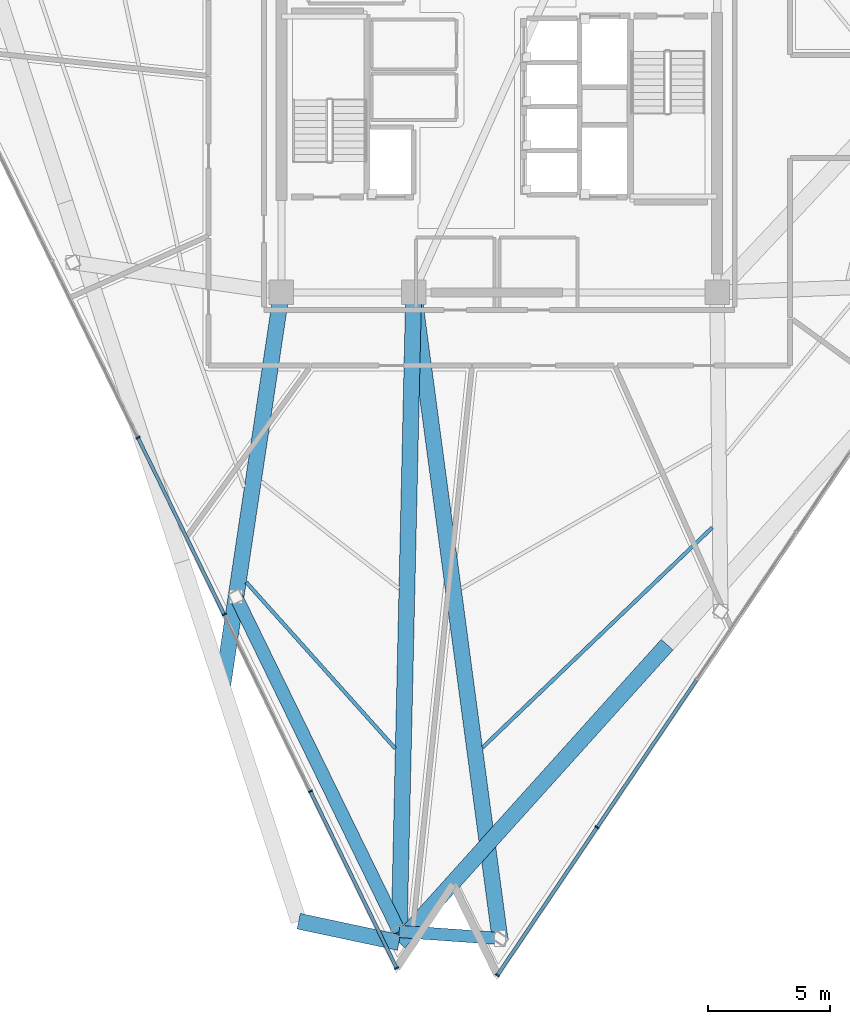
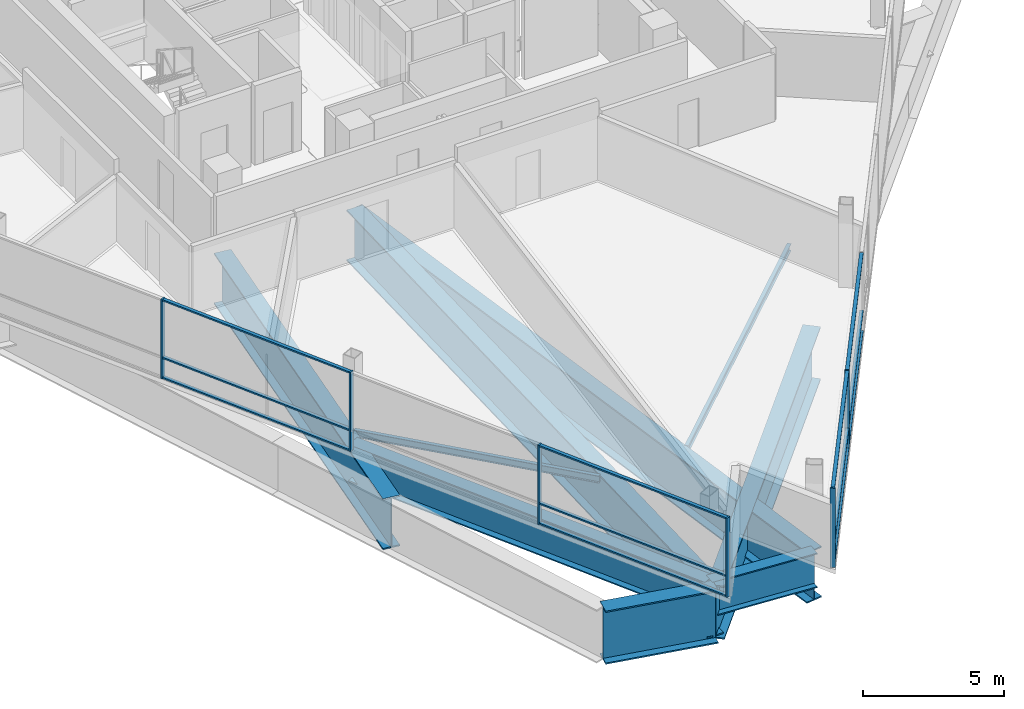
# One storey, part 2 of 14: 18 members, 9 beams, 2 elements without a shape of their own.
"""IFC4 building model written with IfcOpenShell, lengths in metres."""

from ifc_helpers import new_model, si_unit, direction, frame, origin, origin_2d, place, context, subcontext, project, spatial, rectangle, i_section, extrude, material, layer, layer_set, material_profile, profile_set, type_object, element, aggregate, save


model = new_model("IFC4")

# Units and contexts
model_context = context("Model", 3, precision=1e-05, world=origin(), true_north=direction((0.0, 1.0)))
body_context = subcontext(model_context, "Body", "Model", "MODEL_VIEW")
ifc_project = project(units=[si_unit("LENGTHUNIT", "METRE"), si_unit("AREAUNIT", "SQUARE_METRE"), si_unit("VOLUMEUNIT", "CUBIC_METRE"), si_unit("PLANEANGLEUNIT", "RADIAN"), si_unit("MASSUNIT", "GRAM", prefix="KILO")], contexts=[model_context])

# Site, building, storey
site_placement = place(None, origin())
site = spatial("IfcSite", under=ifc_project, at=site_placement, CompositionType="ELEMENT")
building_placement = place(site_placement, origin())
building = spatial("IfcBuilding", under=site, at=building_placement, Name="Tharavind Bronze Gate", CompositionType="ELEMENT")
storey_placement = place(building_placement, frame((0.0, 0.0, 227.050048828125)))
storey = spatial("IfcBuildingStorey", under=building, at=storey_placement, Name="L58", CompositionType="ELEMENT", Elevation=227.050048828125)

# Curtain wall, members
ifc_material_1 = material(Name="Anodised Bronze Aluminium", Category="aluminium")
ifc_layer = layer(ifc_material_1, 0.219970703125)
ifc_layer_set = layer_set([ifc_layer], Name="Anodised Bronze Aluminium")
curtain_wall_type = type_object("IfcCurtainWallType", Name="UNITISED CURTAIN WALL UPPER OFFICE", PredefinedType="USERDEFINED", material=ifc_layer_set)
curtain_wall_1_placement = place(storey_placement, origin())
curtain_wall_1 = element("IfcCurtainWall", 1, at=curtain_wall_1_placement, inside=storey, type_object=curtain_wall_type, Name="L58 unitised curtain wall upper office CW-L58-S1", ObjectType="UNITISED CURTAIN WALL", PredefinedType="USERDEFINED")
member_type_1 = type_object("IfcMemberType", Name="CURTAIN WALL BRONZE MULLION 65X180", PredefinedType="MULLION", material=ifc_material_1)
member_1_placement = place(storey_placement, frame((-14.76611328125, -13.532958984375, 0.0), z_axis=(0.0, 0.0, 1.0), x_axis=(0.438371146789, -0.898794046299, 0.0)))
member_1 = element("IfcMember", 2, at=member_1_placement, type_object=member_type_1, Name="CW-L58-S1 mullion 4", PredefinedType="MULLION", context=body_context, shape_type="SweptSolid", body=[
    extrude(rectangle(XDim=0.06494140625, YDim=0.179931640625, at=origin_2d()), origin(), (0.0, 0.0, 1.0), 3.419921875),
])
member_2_placement = place(storey_placement, frame((-11.24267578125, -20.75732421875, 0.0), z_axis=(0.0, 0.0, 1.0), x_axis=(0.438371146789, -0.898794046299, 0.0)))
member_2 = element("IfcMember", 3, at=member_2_placement, type_object=member_type_1, Name="CW-L58-S1 mullion 5", PredefinedType="MULLION", context=body_context, shape_type="SweptSolid", body=[
    extrude(rectangle(XDim=0.06494140625, YDim=0.179931640625, at=origin_2d()), origin(), (0.0, 0.0, 1.0), 3.419921875),
])
member_3_placement = place(storey_placement, frame((-7.718994140625, -27.98193359375, 0.0), z_axis=(0.0, 0.0, 1.0), x_axis=(0.438371146789, -0.898794046299, 0.0)))
member_3 = element("IfcMember", 4, at=member_3_placement, type_object=member_type_1, Name="CW-L58-S1 mullion 6", PredefinedType="MULLION", context=body_context, shape_type="SweptSolid", body=[
    extrude(rectangle(XDim=0.06494140625, YDim=0.179931640625, at=origin_2d()), origin(), (0.0, 0.0, 1.0), 3.419921875),
])
member_4_placement = place(storey_placement, frame((-4.1953125, -35.20654296875, 0.0), z_axis=(0.0, 0.0, 1.0), x_axis=(0.438371146789, -0.898794046299, 0.0)))
member_4 = element("IfcMember", 5, at=member_4_placement, type_object=member_type_1, Name="CW-L58-S1 mullion 7", PredefinedType="MULLION", context=body_context, shape_type="SweptSolid", body=[
    extrude(rectangle(XDim=0.06494140625, YDim=0.179931640625, at=origin_2d()), origin(), (0.0, 0.0, 1.0), 3.419921875),
])

curtain_wall_2_placement = place(storey_placement, origin())
curtain_wall_2 = element("IfcCurtainWall", 6, at=curtain_wall_2_placement, inside=storey, type_object=curtain_wall_type, Name="L58 unitised curtain wall upper office CW-L58-S2", ObjectType="UNITISED CURTAIN WALL", PredefinedType="USERDEFINED")
member_5_placement = place(storey_placement, frame((-0.077392578125, -35.494384765625, 0.0), z_axis=(0.0, 0.0, 1.0), x_axis=(0.559192903471, 0.829037572555, 0.0)))
member_5 = element("IfcMember", 7, at=member_5_placement, type_object=member_type_1, Name="CW-L58-S2 mullion 1", PredefinedType="MULLION", context=body_context, shape_type="SweptSolid", body=[
    extrude(rectangle(XDim=0.06494140625, YDim=0.179931640625, at=origin_2d()), origin(), (0.0, 0.0, 1.0), 3.419921875),
])
member_6_placement = place(storey_placement, frame((3.9951171875, -29.45654296875, 0.0), z_axis=(0.0, 0.0, 1.0), x_axis=(0.559192903471, 0.829037572555, 0.0)))
member_6 = element("IfcMember", 8, at=member_6_placement, type_object=member_type_1, Name="CW-L58-S2 mullion 2", PredefinedType="MULLION", context=body_context, shape_type="SweptSolid", body=[
    extrude(rectangle(XDim=0.06494140625, YDim=0.179931640625, at=origin_2d()), origin(), (0.0, 0.0, 1.0), 3.419921875),
])

# Member
member_type_2 = type_object("IfcMemberType", Name="CURTAIN WALL BRONZE TRANSOM 65X140", PredefinedType="USERDEFINED", material=ifc_material_1)
member_7_placement = place(storey_placement, frame((-13.00439453125, -17.145263671875, 0.0), z_axis=(0.0, 0.0, 1.0), x_axis=(0.438371146789, -0.898794046299, 0.0)))
member_7 = element("IfcMember", 9, at=member_7_placement, type_object=member_type_2, Name="CW-L58-S1 transom TB4", ObjectType="TRANSOM", PredefinedType="USERDEFINED", context=body_context, shape_type="SweptSolid", body=[
    extrude(rectangle(XDim=7.985107421875, YDim=0.139892578125, at=origin_2d()), origin(), (0.0, 0.0, 1.0), 0.06494140625),
])

member_8_placement = place(storey_placement, frame((-13.00439453125, -17.145263671875, 0.867431640625), z_axis=(0.0, 0.0, 1.0), x_axis=(0.438371146789, -0.898794046299, 0.0)))
member_8 = element("IfcMember", 10, at=member_8_placement, type_object=member_type_2, Name="CW-L58-S1 transom TS4", ObjectType="TRANSOM", PredefinedType="USERDEFINED", context=body_context, shape_type="SweptSolid", body=[
    extrude(rectangle(XDim=7.985107421875, YDim=0.139892578125, at=origin_2d()), origin(), (0.0, 0.0, 1.0), 0.06494140625),
])

member_9_placement = place(storey_placement, frame((-13.00439453125, -17.145263671875, 3.35498046875), z_axis=(0.0, 0.0, 1.0), x_axis=(0.438371146789, -0.898794046299, 0.0)))
member_9 = element("IfcMember", 11, at=member_9_placement, type_object=member_type_2, Name="CW-L58-S1 transom TT4", ObjectType="TRANSOM", PredefinedType="USERDEFINED", context=body_context, shape_type="SweptSolid", body=[
    extrude(rectangle(XDim=7.985107421875, YDim=0.139892578125, at=origin_2d()), origin(), (0.0, 0.0, 1.0), 0.06494140625),
])

member_10_placement = place(storey_placement, frame((-5.95703125, -31.59423828125, 0.0), z_axis=(0.0, 0.0, 1.0), x_axis=(0.438371146789, -0.898794046299, 0.0)))
member_10 = element("IfcMember", 12, at=member_10_placement, type_object=member_type_2, Name="CW-L58-S1 transom TB6", ObjectType="TRANSOM", PredefinedType="USERDEFINED", context=body_context, shape_type="SweptSolid", body=[
    extrude(rectangle(XDim=7.985107421875, YDim=0.139892578125, at=origin_2d()), origin(), (0.0, 0.0, 1.0), 0.06494140625),
])

member_11_placement = place(storey_placement, frame((-5.95703125, -31.59423828125, 0.867431640625), z_axis=(0.0, 0.0, 1.0), x_axis=(0.438371146789, -0.898794046299, 0.0)))
member_11 = element("IfcMember", 13, at=member_11_placement, type_object=member_type_2, Name="CW-L58-S1 transom TS6", ObjectType="TRANSOM", PredefinedType="USERDEFINED", context=body_context, shape_type="SweptSolid", body=[
    extrude(rectangle(XDim=7.985107421875, YDim=0.139892578125, at=origin_2d()), origin(), (0.0, 0.0, 1.0), 0.06494140625),
])

member_12_placement = place(storey_placement, frame((-5.95703125, -31.59423828125, 3.35498046875), z_axis=(0.0, 0.0, 1.0), x_axis=(0.438371146789, -0.898794046299, 0.0)))
member_12 = element("IfcMember", 14, at=member_12_placement, type_object=member_type_2, Name="CW-L58-S1 transom TT6", ObjectType="TRANSOM", PredefinedType="USERDEFINED", context=body_context, shape_type="SweptSolid", body=[
    extrude(rectangle(XDim=7.985107421875, YDim=0.139892578125, at=origin_2d()), origin(), (0.0, 0.0, 1.0), 0.06494140625),
])

aggregate(curtain_wall_1, [member_1, member_2, member_3, member_4, member_7, member_8, member_9, member_10, member_11, member_12])

member_13_placement = place(storey_placement, frame((1.958984375, -32.4755859375, 0.0), z_axis=(0.0, 0.0, 1.0), x_axis=(0.559192903471, 0.829037572555, 0.0)))
member_13 = element("IfcMember", 15, at=member_13_placement, type_object=member_type_2, Name="CW-L58-S2 transom TB1", ObjectType="TRANSOM", PredefinedType="USERDEFINED", context=body_context, shape_type="SweptSolid", body=[
    extrude(rectangle(XDim=7.22998046875, YDim=0.139892578125, at=origin_2d()), origin(), (0.0, 0.0, 1.0), 0.06494140625),
])

member_14_placement = place(storey_placement, frame((1.958984375, -32.4755859375, 0.867431640625), z_axis=(0.0, 0.0, 1.0), x_axis=(0.559192903471, 0.829037572555, 0.0)))
member_14 = element("IfcMember", 16, at=member_14_placement, type_object=member_type_2, Name="CW-L58-S2 transom TS1", ObjectType="TRANSOM", PredefinedType="USERDEFINED", context=body_context, shape_type="SweptSolid", body=[
    extrude(rectangle(XDim=7.22998046875, YDim=0.139892578125, at=origin_2d()), origin(), (0.0, 0.0, 1.0), 0.06494140625),
])

member_15_placement = place(storey_placement, frame((1.958984375, -32.4755859375, 3.35498046875), z_axis=(0.0, 0.0, 1.0), x_axis=(0.559192903471, 0.829037572555, 0.0)))
member_15 = element("IfcMember", 17, at=member_15_placement, type_object=member_type_2, Name="CW-L58-S2 transom TT1", ObjectType="TRANSOM", PredefinedType="USERDEFINED", context=body_context, shape_type="SweptSolid", body=[
    extrude(rectangle(XDim=7.22998046875, YDim=0.139892578125, at=origin_2d()), origin(), (0.0, 0.0, 1.0), 0.06494140625),
])

member_16_placement = place(storey_placement, frame((6.031494140625, -26.437744140625, 0.0), z_axis=(0.0, 0.0, 1.0), x_axis=(0.559192903471, 0.829037572555, 0.0)))
member_16 = element("IfcMember", 18, at=member_16_placement, type_object=member_type_2, Name="CW-L58-S2 transom TB2", ObjectType="TRANSOM", PredefinedType="USERDEFINED", context=body_context, shape_type="SweptSolid", body=[
    extrude(rectangle(XDim=7.22998046875, YDim=0.139892578125, at=origin_2d()), origin(), (0.0, 0.0, 1.0), 0.06494140625),
])

member_17_placement = place(storey_placement, frame((6.031494140625, -26.437744140625, 0.867431640625), z_axis=(0.0, 0.0, 1.0), x_axis=(0.559192903471, 0.829037572555, 0.0)))
member_17 = element("IfcMember", 19, at=member_17_placement, type_object=member_type_2, Name="CW-L58-S2 transom TS2", ObjectType="TRANSOM", PredefinedType="USERDEFINED", context=body_context, shape_type="SweptSolid", body=[
    extrude(rectangle(XDim=7.22998046875, YDim=0.139892578125, at=origin_2d()), origin(), (0.0, 0.0, 1.0), 0.06494140625),
])

member_18_placement = place(storey_placement, frame((6.031494140625, -26.437744140625, 3.35498046875), z_axis=(0.0, 0.0, 1.0), x_axis=(0.559192903471, 0.829037572555, 0.0)))
member_18 = element("IfcMember", 20, at=member_18_placement, type_object=member_type_2, Name="CW-L58-S2 transom TT2", ObjectType="TRANSOM", PredefinedType="USERDEFINED", context=body_context, shape_type="SweptSolid", body=[
    extrude(rectangle(XDim=7.22998046875, YDim=0.139892578125, at=origin_2d()), origin(), (0.0, 0.0, 1.0), 0.06494140625),
])

aggregate(curtain_wall_2, [member_5, member_6, member_13, member_14, member_15, member_16, member_17, member_18])

# Beams
ifc_material_2 = material(Name="Steel S355", Category="steel")
ifc_material_profile_1 = material_profile(ifc_material_2, i_section(OverallWidth=0.14990234375, OverallDepth=0.300048828125, WebThickness=0.007080078125, FlangeThickness=0.0107421875, at=origin_2d()), Name="IPE300")
ifc_profile_set_1 = profile_set([ifc_material_profile_1], Name="Steel S355")
beam_type_1 = type_object("IfcBeamType", Name="SECONDARY FLOOR JOIST IPE300", PredefinedType="JOIST", material=ifc_profile_set_1)
beam_1_placement = place(storey_placement, frame((-10.337158203125, -19.44140625, -0.340087890625), z_axis=(0.667361835813, -0.7447336303, 0.0), x_axis=(0.7447336303, 0.667361835813, 0.0)))
element("IfcBeam", 21, at=beam_1_placement, inside=storey, type_object=beam_type_1, Name="L58 secondary floor joist ipe300 BM-L58-JSTB03", PredefinedType="JOIST", context=body_context, shape_type="SweptSolid", body=[
    extrude(i_section(OverallWidth=0.14990234375, OverallDepth=0.300048828125, WebThickness=0.007080078125, FlangeThickness=0.0107421875, at=origin_2d()), origin(), (0.0, 0.0, 1.0), 9.122314453125),
])
beam_2_placement = place(storey_placement, frame((-0.684326171875, -26.193359375, -0.340087890625), z_axis=(0.722219580217, 0.691663847509, 0.0), x_axis=(-0.691663847509, 0.722219580217, 0.0)))
element("IfcBeam", 22, at=beam_2_placement, inside=storey, type_object=beam_type_1, Name="L58 secondary floor joist ipe300 BM-L58-JSTB05", PredefinedType="JOIST", context=body_context, shape_type="SweptSolid", body=[
    extrude(i_section(OverallWidth=0.14990234375, OverallDepth=0.300048828125, WebThickness=0.007080078125, FlangeThickness=0.0107421875, at=origin_2d()), origin(), (0.0, 0.0, 1.0), 12.999755859375),
])
ifc_material_3 = material(Name="Steel S460", Category="steel")
ifc_material_profile_2 = material_profile(ifc_material_3, i_section(OverallWidth=0.5, OverallDepth=1.5, WebThickness=0.028076171875, FlangeThickness=0.050048828125, at=origin_2d()), Name="PG1500X500")
ifc_profile_set_2 = profile_set([ifc_material_profile_2], Name="Steel S460")
beam_type_2 = type_object("IfcBeamType", Name="TRANSFER GIRDER 1500X500", PredefinedType="USERDEFINED", material=ifc_profile_set_2)
beam_3_placement = place(storey_placement, frame((-4.090576171875, -33.710205078125, -0.93994140625), z_axis=(0.99756592469, -0.069729662964, 0.0), x_axis=(0.069729662964, 0.99756592469, 0.0)))
element("IfcBeam", 23, at=beam_3_placement, inside=storey, type_object=beam_type_2, Name="L58 transfer girder 1500x500 BM-L58-URG04", ObjectType="TRANSFER GIRDER", PredefinedType="USERDEFINED", context=body_context, shape_type="SweptSolid", body=[
    extrude(i_section(OverallWidth=0.5, OverallDepth=1.5, WebThickness=0.028076171875, FlangeThickness=0.050048828125, at=origin_2d()), origin(), (0.0, 0.0, 1.0), 4.1279296875),
])
ifc_material_profile_3 = material_profile(ifc_material_3, i_section(OverallWidth=0.550048828125, OverallDepth=1.60009765625, WebThickness=0.030029296875, FlangeThickness=0.050048828125, at=origin_2d()), Name="PG1600X550")
ifc_profile_set_3 = profile_set([ifc_material_profile_3], Name="Steel S460")
beam_type_3 = type_object("IfcBeamType", Name="TRANSFER GIRDER 1600X550", PredefinedType="USERDEFINED", material=ifc_profile_set_3)
beam_4_placement = place(storey_placement, frame((-10.75830078125, -20.039306640625, -0.989990234375), z_axis=(0.438370186885, -0.898794514475, 0.0), x_axis=(0.898794514475, 0.438370186885, 0.0)))
element("IfcBeam", 24, at=beam_4_placement, inside=storey, type_object=beam_type_3, Name="L58 transfer girder 1600x550 BM-L58-URG03", ObjectType="TRANSFER GIRDER", PredefinedType="USERDEFINED", context=body_context, shape_type="SweptSolid", body=[
    extrude(i_section(OverallWidth=0.550048828125, OverallDepth=1.60009765625, WebThickness=0.030029296875, FlangeThickness=0.050048828125, at=origin_2d()), origin(), (0.0, 0.0, 1.0), 15.210205078125),
])
ifc_material_profile_4 = material_profile(ifc_material_3, i_section(OverallWidth=0.64990234375, OverallDepth=2.199951171875, WebThickness=0.035888671875, FlangeThickness=0.054931640625, at=origin_2d()), Name="PG2200X650")
ifc_profile_set_4 = profile_set([ifc_material_profile_4], Name="Steel S460")
beam_type_4 = type_object("IfcBeamType", Name="TRANSFER GIRDER 2200X650", PredefinedType="USERDEFINED", material=ifc_profile_set_4)
beam_5_placement = place(storey_placement, frame((-8.89990234375, -7.60009765625, -1.2900390625), z_axis=(-0.147746299343, -0.989025293423, 0.0), x_axis=(0.989025293423, -0.147746299343, 0.0)))
element("IfcBeam", 25, at=beam_5_placement, inside=storey, type_object=beam_type_4, Name="L58 transfer girder 2200x650 BM-L58-XFR03", ObjectType="TRANSFER GIRDER", PredefinedType="USERDEFINED", context=body_context, shape_type="SweptSolid", body=[
    extrude(i_section(OverallWidth=0.64990234375, OverallDepth=2.199951171875, WebThickness=0.035888671875, FlangeThickness=0.054931640625, at=origin_2d()), origin(), (0.0, 0.0, 1.0), 16.29638671875),
])
beam_6_placement = place(storey_placement, frame((-3.5, -7.60009765625, -1.2900390625), z_axis=(-0.022614116472, -0.999744268169, 0.0), x_axis=(0.999744268169, -0.022614116472, 0.0)))
element("IfcBeam", 26, at=beam_6_placement, inside=storey, type_object=beam_type_4, Name="L58 transfer girder 2200x650 BM-L58-XFR04", ObjectType="TRANSFER GIRDER", PredefinedType="USERDEFINED", context=body_context, shape_type="SweptSolid", body=[
    extrude(i_section(OverallWidth=0.64990234375, OverallDepth=2.199951171875, WebThickness=0.035888671875, FlangeThickness=0.054931640625, at=origin_2d()), origin(), (0.0, 0.0, 1.0), 26.56884765625),
])
beam_7_placement = place(storey_placement, frame((-3.5, -7.60009765625, -1.2900390625), z_axis=(0.132444729181, -0.991190392262, 0.0), x_axis=(0.991190392262, 0.132444729181, 0.0)))
element("IfcBeam", 27, at=beam_7_placement, inside=storey, type_object=beam_type_4, Name="L58 transfer girder 2200x650 BM-L58-XFR05", ObjectType="TRANSFER GIRDER", PredefinedType="USERDEFINED", context=body_context, shape_type="SweptSolid", body=[
    extrude(i_section(OverallWidth=0.64990234375, OverallDepth=2.199951171875, WebThickness=0.035888671875, FlangeThickness=0.054931640625, at=origin_2d()), origin(), (0.0, 0.0, 1.0), 26.632568359375),
])
ifc_material_profile_5 = material_profile(ifc_material_3, i_section(OverallWidth=0.64990234375, OverallDepth=2.300048828125, WebThickness=0.035888671875, FlangeThickness=0.05810546875, at=origin_2d()), Name="PG2300X650")
ifc_profile_set_5 = profile_set([ifc_material_profile_5], Name="Steel S460")
beam_type_5 = type_object("IfcBeamType", Name="TRANSFER GIRDER 2300X650", PredefinedType="USERDEFINED", material=ifc_profile_set_5)
beam_8_placement = place(storey_placement, frame((-8.197021484375, -33.29150390625, -1.340087890625), z_axis=(0.978144033538, -0.207928472445, 0.0), x_axis=(0.207928472445, 0.978144033538, 0.0)))
element("IfcBeam", 28, at=beam_8_placement, inside=storey, type_object=beam_type_5, Name="L58 transfer girder 2300x650 BM-L58-LRG04", ObjectType="TRANSFER GIRDER", PredefinedType="USERDEFINED", context=body_context, shape_type="SweptSolid", body=[
    extrude(i_section(OverallWidth=0.64990234375, OverallDepth=2.300048828125, WebThickness=0.035888671875, FlangeThickness=0.05810546875, at=origin_2d()), origin(), (0.0, 0.0, 1.0), 4.188232421875),
])
beam_9_placement = place(storey_placement, frame((-4.100341796875, -34.162353515625, -1.340087890625), z_axis=(0.669127800443, 0.743147351926, 0.0), x_axis=(-0.743147351926, 0.669127800443, 0.0)))
element("IfcBeam", 29, at=beam_9_placement, inside=storey, type_object=beam_type_5, Name="L58 transfer girder 2300x650 BM-L58-LRG05", ObjectType="TRANSFER GIRDER", PredefinedType="USERDEFINED", context=body_context, shape_type="SweptSolid", body=[
    extrude(i_section(OverallWidth=0.64990234375, OverallDepth=2.300048828125, WebThickness=0.035888671875, FlangeThickness=0.05810546875, at=origin_2d()), origin(), (0.0, 0.0, 1.0), 16.376220703125),
])

save(model, "model.ifc")
